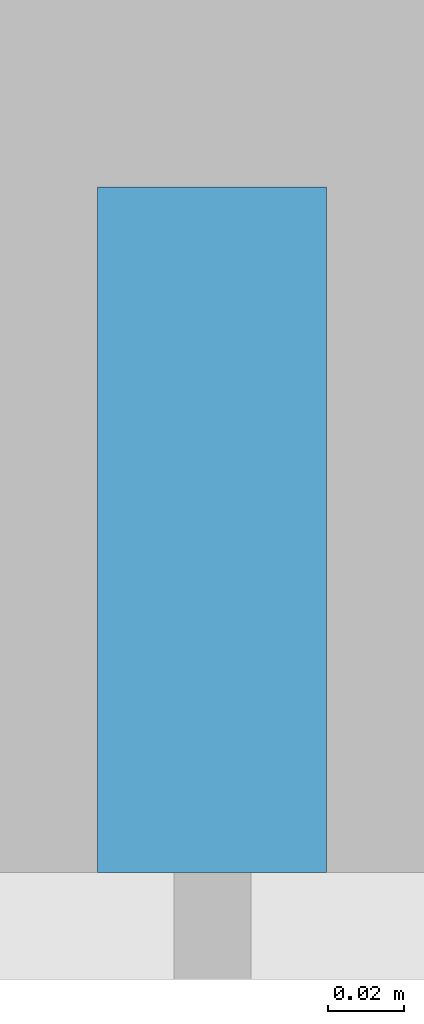
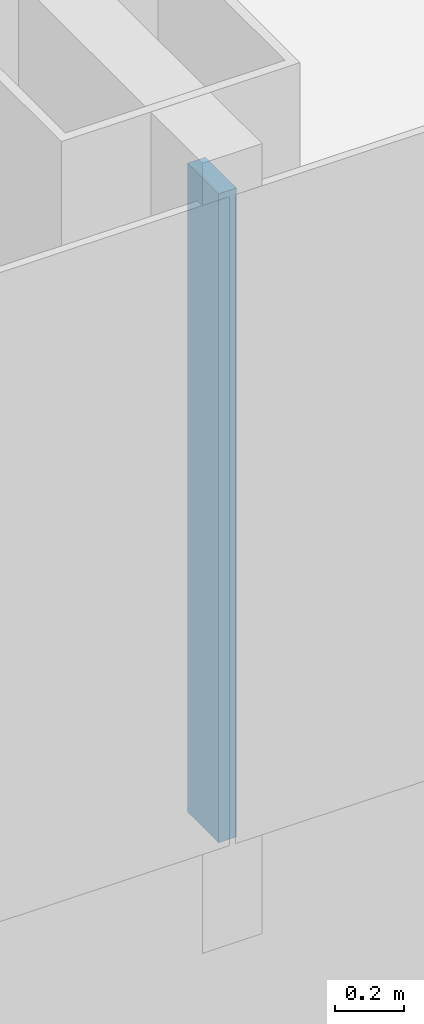
# One storey, part 6 of 29: 1 member, 1 element without a shape of its own.
"""IFC4 building model written with IfcOpenShell, lengths in metres."""

from ifc_helpers import new_model, si_unit, direction, frame, origin, origin_2d, place, context, subcontext, project, spatial, rectangle, extrude, material, layer, layer_set, material_profile, profile_set, type_object, element, aggregate, save


model = new_model("IFC4")

# Units and contexts
model_context = context("Model", 3, precision=1e-05, world=origin(), true_north=direction((0.0, 1.0)))
body_context = subcontext(model_context, "Body", "Model", "MODEL_VIEW")
ifc_project = project(units=[si_unit("LENGTHUNIT", "METRE"), si_unit("AREAUNIT", "SQUARE_METRE"), si_unit("VOLUMEUNIT", "CUBIC_METRE"), si_unit("PLANEANGLEUNIT", "RADIAN"), si_unit("MASSUNIT", "GRAM", prefix="KILO")], contexts=[model_context])

# Site, building, storey
site_placement = place(None, origin())
site = spatial("IfcSite", under=ifc_project, at=site_placement, CompositionType="ELEMENT")
building_placement = place(site_placement, origin())
building = spatial("IfcBuilding", under=site, at=building_placement, Name="Hakoniwa Tower and Hamabe Station Hall", CompositionType="ELEMENT")
storey_placement = place(building_placement, frame((0.0, 0.0, 75.39990234375)))
storey = spatial("IfcBuildingStorey", under=building, at=storey_placement, Name="L20", CompositionType="ELEMENT", Elevation=75.39990234375)

# Curtain wall, member
ifc_material_1 = material(Name="Dark low-e laminated glass", Category="glass")
ifc_layer = layer(ifc_material_1, 0.199951171875)
ifc_layer_set = layer_set([ifc_layer], Name="CW-1 UNITISED GUEST")
curtain_wall_type = type_object("IfcCurtainWallType", Name="CW-1 UNITISED GUEST", PredefinedType="NOTDEFINED", material=ifc_layer_set)
curtain_wall_placement = place(storey_placement, origin())
curtain_wall = element("IfcCurtainWall", 1, at=curtain_wall_placement, inside=storey, type_object=curtain_wall_type, Name="CW-1 curtain wall", PredefinedType="NOTDEFINED")
ifc_material_2 = material(Name="Aluminium 6063-T5 black anodised", Category="aluminium")
ifc_material_profile = material_profile(ifc_material_2, rectangle(XDim=0.06005859375, YDim=0.179931640625, at=origin_2d()), Name="CW-1 MULLION 60X180")
ifc_profile_set = profile_set([ifc_material_profile], Name="Aluminium 6063-T5 black anodised")
member_type = type_object("IfcMemberType", Name="CW-1 MULLION 60X180", PredefinedType="MULLION", material=ifc_profile_set)
member_placement = place(storey_placement, frame((8.39990234375, -15.431884765625, 0.35009765625), z_axis=(0.0, 0.0, 1.0), x_axis=(1.0, 0.0, 0.0)))
member = element("IfcMember", 2, at=member_placement, type_object=member_type, Name="CW-1 mullion", PredefinedType="MULLION", context=body_context, shape_type="SweptSolid", body=[
    extrude(rectangle(XDim=0.06005859375, YDim=0.179931640625, at=origin_2d()), origin(), (0.0, 0.0, 1.0), 2.300048828125),
])
aggregate(curtain_wall, [member])

save(model, "model.ifc")
